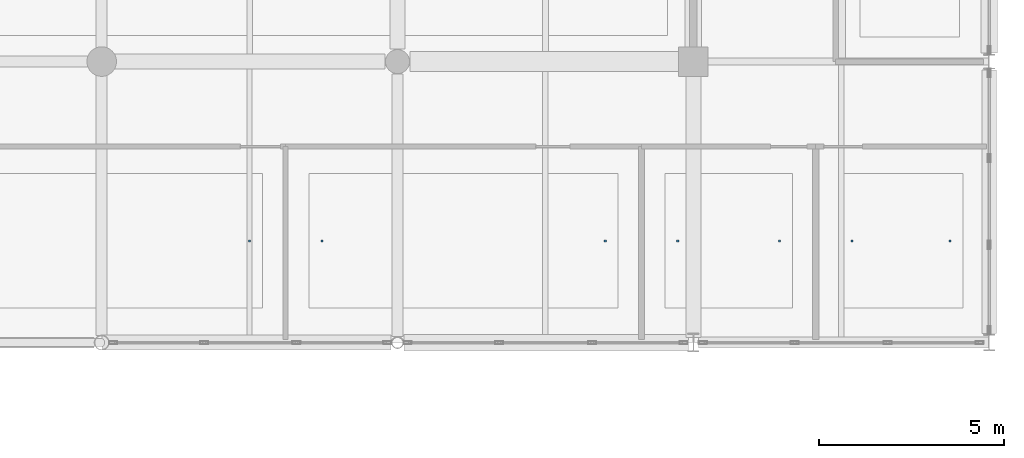
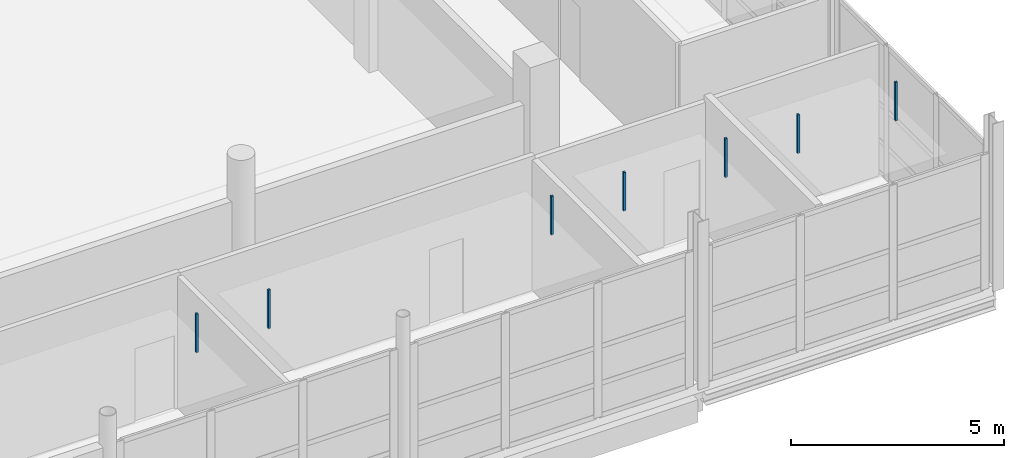
# One storey, part 115 of 141: 7 discrete accessories.
"""IFC4 building model written with IfcOpenShell, lengths in metres."""

from ifc_helpers import new_model, si_unit, direction, frame, origin, origin_2d, place, context, subcontext, project, spatial, rectangle, extrude, material, type_object, element, save


model = new_model("IFC4")

# Units and contexts
model_context = context("Model", 3, precision=1e-05, world=origin(), true_north=direction((0.0, 1.0)))
body_context = subcontext(model_context, "Body", "Model", "MODEL_VIEW")
ifc_project = project(units=[si_unit("LENGTHUNIT", "METRE"), si_unit("AREAUNIT", "SQUARE_METRE"), si_unit("VOLUMEUNIT", "CUBIC_METRE"), si_unit("PLANEANGLEUNIT", "RADIAN"), si_unit("MASSUNIT", "GRAM", prefix="KILO")], contexts=[model_context])

# Site, building, storey
site_placement = place(None, origin())
site = spatial("IfcSite", under=ifc_project, at=site_placement, CompositionType="ELEMENT")
building_placement = place(site_placement, origin())
building = spatial("IfcBuilding", under=site, at=building_placement, Name="Khelvaren Railside Concert Hall", CompositionType="ELEMENT")
storey_placement = place(building_placement, frame((0.0, 0.0, 10.199951171875)))
storey = spatial("IfcBuildingStorey", under=building, at=storey_placement, Name="L02", CompositionType="ELEMENT", Elevation=10.199951171875)

# Discrete accessories
ifc_material = material(Name="Galvanised steel acoustic ceiling hanger rod", Category="steel")
discrete_accessory_type = type_object("IfcDiscreteAccessoryType", Name="BRK62", PredefinedType="BRACKET", material=ifc_material)
for number, where, z_axis, x_axis, name in (
    (1, (163.993896484375, 2.75, 3.43017578125), (0.0, 0.0, 1.0), (1.0, 0.0, 0.0), "Acoustic Ceiling Suspension Bracket 53-2"),
    (2, (165.9541015625, 2.75, 3.43017578125), (0.0, 0.0, 1.0), (1.0, 0.0, 0.0), "Acoustic Ceiling Suspension Bracket 54-1"),
    (3, (173.616943359375, 2.75, 3.43017578125), (0.0, 0.0, 1.0), (1.0, 0.0, 0.0), "Acoustic Ceiling Suspension Bracket 54-2"),
    (4, (175.576904296875, 2.75, 3.43017578125), (0.0, 0.0, 1.0), (1.0, 0.0, 0.0), "Acoustic Ceiling Suspension Bracket 55-1"),
    (5, (178.327880859375, 2.75, 3.43017578125), (0.0, 0.0, 1.0), (1.0, 0.0, 0.0), "Acoustic Ceiling Suspension Bracket 55-2"),
    (6, (180.2880859375, 2.75, 3.43017578125), (0.0, 0.0, 1.0), (1.0, 0.0, 0.0), "Acoustic Ceiling Suspension Bracket 56-1"),
    (7, (182.93994140625, 2.75, 3.43017578125), (0.0, 0.0, 1.0), (1.0, 0.0, 0.0), "Acoustic Ceiling Suspension Bracket 56-2"),
):
    element("IfcDiscreteAccessory", number, at=place(storey_placement, frame(where, z_axis=z_axis, x_axis=x_axis)), inside=storey, type_object=discrete_accessory_type, Name=name, PredefinedType="BRACKET", context=body_context, shape_type="SweptSolid", body=[
        extrude(rectangle(XDim=0.06005859375, YDim=0.06005859375, at=origin_2d()), origin(), (0.0, 0.0, 1.0), 1.110107421875),
    ])

save(model, "model.ifc")
